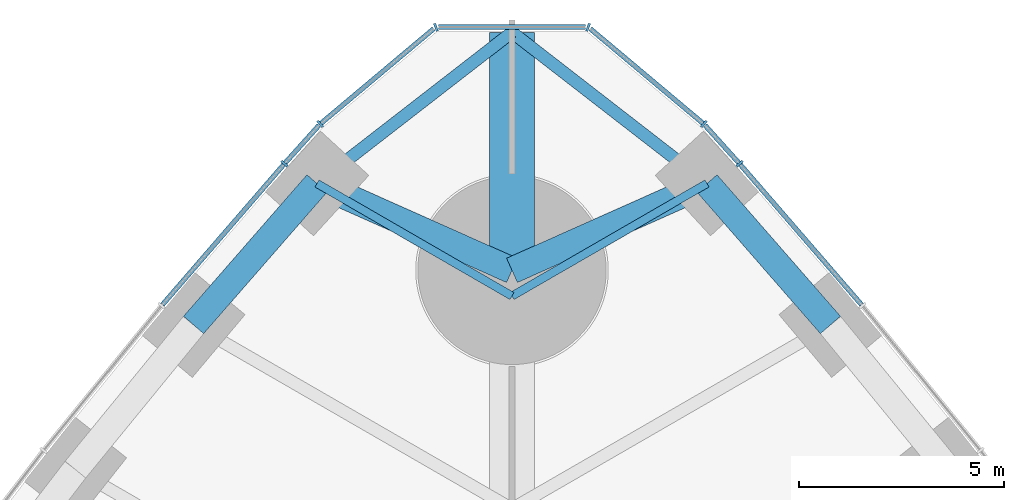
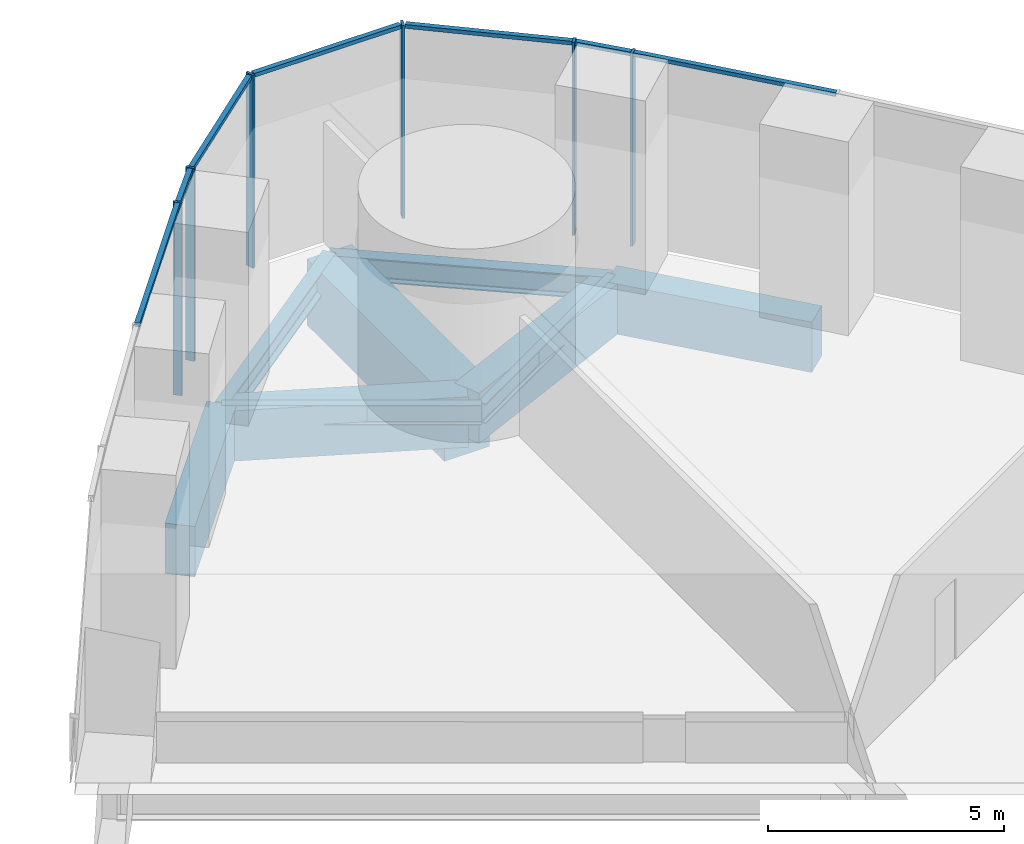
# One storey, part 12 of 21: 13 members, 9 beams, 3 elements without a shape of their own.
"""IFC4 building model written with IfcOpenShell, lengths in metres."""

from ifc_helpers import new_model, si_unit, direction, frame, origin, origin_2d, place, context, subcontext, project, spatial, rectangle, i_section, extrude, material, material_profile, profile_set, type_object, element, aggregate, save


model = new_model("IFC4")

# Units and contexts
model_context = context("Model", 3, precision=1e-05, world=origin(), true_north=direction((0.0, 1.0)))
body_context = subcontext(model_context, "Body", "Model", "MODEL_VIEW")
ifc_project = project(units=[si_unit("LENGTHUNIT", "METRE"), si_unit("AREAUNIT", "SQUARE_METRE"), si_unit("VOLUMEUNIT", "CUBIC_METRE"), si_unit("PLANEANGLEUNIT", "RADIAN"), si_unit("MASSUNIT", "GRAM", prefix="KILO")], contexts=[model_context])

# Site, building, storey
site_placement = place(None, origin())
site = spatial("IfcSite", under=ifc_project, at=site_placement, CompositionType="ELEMENT")
building_placement = place(site_placement, origin())
building = spatial("IfcBuilding", under=site, at=building_placement, Name="Trefoil Bronze Tower", CompositionType="ELEMENT")
storey_placement = place(building_placement, frame((0.0, 0.0, 6.5)))
storey = spatial("IfcBuildingStorey", under=building, at=storey_placement, Name="L01", CompositionType="ELEMENT", Elevation=6.5)

# Curtain wall, member
ifc_material_1 = material(Name="Tinted solar-control glass", Category="glass")
curtain_wall_type_1 = type_object("IfcCurtainWallType", Name="Bronze podium storefront curtain wall", PredefinedType="USERDEFINED", material=ifc_material_1)
curtain_wall_1_placement = place(storey_placement, origin())
curtain_wall_1 = element("IfcCurtainWall", 1, at=curtain_wall_1_placement, inside=storey, type_object=curtain_wall_type_1, Name="CW-C L01 F2", ObjectType="CURTAIN WALL", PredefinedType="USERDEFINED")
ifc_material_2 = material(Name="Bronze-finish aluminium", Category="aluminium")
ifc_material_profile_1 = material_profile(ifc_material_2, rectangle(XDim=0.199951171875, YDim=0.06005859375, at=origin_2d()), Name="CW-C mullion")
ifc_profile_set_1 = profile_set([ifc_material_profile_1], Name="Bronze-finish aluminium")
member_type_1 = type_object("IfcMemberType", Name="Bronze podium storefront curtain wall mullion", PredefinedType="MULLION", material=ifc_profile_set_1)
member_1_placement = place(storey_placement, frame((5.556640625, 39.60400390625, 0.0), z_axis=(0.0, 0.0, 1.0), x_axis=(-0.7499405861, -0.661505190698, 0.0)))
member_1 = element("IfcMember", 2, at=member_1_placement, type_object=member_type_1, Name="CW-C L01 F2 mullion 16", PredefinedType="MULLION", context=body_context, shape_type="SweptSolid", body=[
    extrude(rectangle(XDim=0.199951171875, YDim=0.06005859375, at=origin_2d()), origin(), (0.0, 0.0, 1.0), 4.97998046875),
])

curtain_wall_2_placement = place(storey_placement, origin())
curtain_wall_2 = element("IfcCurtainWall", 3, at=curtain_wall_2_placement, inside=storey, type_object=curtain_wall_type_1, Name="CW-C L01 F3", ObjectType="CURTAIN WALL", PredefinedType="USERDEFINED")
member_2_placement = place(storey_placement, frame((-5.556640625, 39.60400390625, 0.0), z_axis=(0.0, 0.0, 1.0), x_axis=(0.7499405861, -0.661505190698, 0.0)))
member_2 = element("IfcMember", 4, at=member_2_placement, type_object=member_type_1, Name="CW-C L01 F3 mullion 2", PredefinedType="MULLION", context=body_context, shape_type="SweptSolid", body=[
    extrude(rectangle(XDim=0.199951171875, YDim=0.06005859375, at=origin_2d()), origin(), (0.0, 0.0, 1.0), 4.97998046875),
])

# Member
ifc_material_3 = material(Name="Bronze-finish aluminium", Category="aluminium")
ifc_material_profile_2 = material_profile(ifc_material_3, rectangle(XDim=0.1201171875, YDim=0.10009765625, at=origin_2d()), Name="CW-C transom")
ifc_profile_set_2 = profile_set([ifc_material_profile_2], Name="Bronze-finish aluminium")
member_type_2 = type_object("IfcMemberType", Name="Bronze podium storefront curtain wall transom", PredefinedType="USERDEFINED", material=ifc_profile_set_2)
member_3_placement = place(storey_placement, frame((8.5361328125, 36.160888671875, 4.929931640625), z_axis=(-0.654393958873, 0.756153785014, 0.0), x_axis=(-0.756153785014, -0.654393958873, 0.0)))
member_3 = element("IfcMember", 5, at=member_3_placement, type_object=member_type_2, Name="CW-C L01 F2 transom 15", ObjectType="TRANSOM", PredefinedType="USERDEFINED", context=body_context, shape_type="SweptSolid", body=[
    extrude(rectangle(XDim=0.1201171875, YDim=0.10009765625, at=origin_2d()), origin(), (0.0, 0.0, 1.0), 4.5224609375),
])

member_4_placement = place(storey_placement, frame((5.535888671875, 39.626953125, 4.929931640625), z_axis=(-0.668613891613, 0.743609752452, 0.0), x_axis=(-0.743609752452, -0.668613891613, 0.0)))
member_4 = element("IfcMember", 6, at=member_4_placement, type_object=member_type_2, Name="CW-C L01 F2 transom 16", ObjectType="TRANSOM", PredefinedType="USERDEFINED", context=body_context, shape_type="SweptSolid", body=[
    extrude(rectangle(XDim=0.1201171875, YDim=0.10009765625, at=origin_2d()), origin(), (0.0, 0.0, 1.0), 1.23046875),
])

aggregate(curtain_wall_1, [member_1, member_3, member_4])

member_5_placement = place(storey_placement, frame((-4.713134765625, 40.5419921875, 4.929931640625), z_axis=(-0.668613891613, -0.743609752452, 0.0), x_axis=(0.743609752452, -0.668613891613, 0.0)))
member_5 = element("IfcMember", 7, at=member_5_placement, type_object=member_type_2, Name="CW-C L01 F3 transom 1", ObjectType="TRANSOM", PredefinedType="USERDEFINED", context=body_context, shape_type="SweptSolid", body=[
    extrude(rectangle(XDim=0.1201171875, YDim=0.10009765625, at=origin_2d()), origin(), (0.0, 0.0, 1.0), 1.23046875),
])

member_6_placement = place(storey_placement, frame((-5.57666015625, 39.58056640625, 4.929931640625), z_axis=(-0.654393958873, -0.756153785014, 0.0), x_axis=(0.756153785014, -0.654393958873, 0.0)))
member_6 = element("IfcMember", 8, at=member_6_placement, type_object=member_type_2, Name="CW-C L01 F3 transom 2", ObjectType="TRANSOM", PredefinedType="USERDEFINED", context=body_context, shape_type="SweptSolid", body=[
    extrude(rectangle(XDim=0.1201171875, YDim=0.10009765625, at=origin_2d()), origin(), (0.0, 0.0, 1.0), 4.5224609375),
])

aggregate(curtain_wall_2, [member_2, member_5, member_6])

# Curtain wall, members
ifc_material_4 = material(Name="Tinted solar-control glass", Category="glass")
curtain_wall_type_2 = type_object("IfcCurtainWallType", Name="Bronze rounded corner curtain wall", PredefinedType="USERDEFINED", material=ifc_material_4)
curtain_wall_3_placement = place(storey_placement, origin())
curtain_wall_3 = element("IfcCurtainWall", 9, at=curtain_wall_3_placement, inside=storey, type_object=curtain_wall_type_2, Name="CW-B L01 K2", ObjectType="CURTAIN WALL", PredefinedType="USERDEFINED")
ifc_material_5 = material(Name="Bronze-finish aluminium", Category="aluminium")
ifc_material_profile_3 = material_profile(ifc_material_5, rectangle(XDim=0.199951171875, YDim=0.06005859375, at=origin_2d()), Name="CW-B mullion")
ifc_profile_set_3 = profile_set([ifc_material_profile_3], Name="Bronze-finish aluminium")
member_type_3 = type_object("IfcMemberType", Name="Bronze rounded corner curtain wall mullion", PredefinedType="MULLION", material=ifc_profile_set_3)
member_7_placement = place(storey_placement, frame((4.68310546875, 40.573974609375, 0.0), z_axis=(0.0, 0.0, 1.0), x_axis=(-0.642787609687, -0.766044443119, 0.0)))
member_7 = element("IfcMember", 10, at=member_7_placement, type_object=member_type_3, Name="CW-B L01 K2 mullion 1", PredefinedType="MULLION", context=body_context, shape_type="SweptSolid", body=[
    extrude(rectangle(XDim=0.199951171875, YDim=0.06005859375, at=origin_2d()), origin(), (0.0, 0.0, 1.0), 4.97998046875),
])
member_8_placement = place(storey_placement, frame((1.8583984375, 42.9365234375, 0.0), z_axis=(0.0, 0.0, 1.0), x_axis=(-0.342020143326, -0.939692620786, 0.0)))
member_8 = element("IfcMember", 11, at=member_8_placement, type_object=member_type_3, Name="CW-B L01 K2 mullion 2", PredefinedType="MULLION", context=body_context, shape_type="SweptSolid", body=[
    extrude(rectangle(XDim=0.199951171875, YDim=0.06005859375, at=origin_2d()), origin(), (0.0, 0.0, 1.0), 4.97998046875),
])
member_9_placement = place(storey_placement, frame((-1.8583984375, 42.9365234375, 0.0), z_axis=(0.0, 0.0, 1.0), x_axis=(0.342020143326, -0.939692620786, 0.0)))
member_9 = element("IfcMember", 12, at=member_9_placement, type_object=member_type_3, Name="CW-B L01 K2 mullion 3", PredefinedType="MULLION", context=body_context, shape_type="SweptSolid", body=[
    extrude(rectangle(XDim=0.199951171875, YDim=0.06005859375, at=origin_2d()), origin(), (0.0, 0.0, 1.0), 4.97998046875),
])
member_10_placement = place(storey_placement, frame((-4.68310546875, 40.573974609375, 0.0), z_axis=(0.0, 0.0, 1.0), x_axis=(0.642787609687, -0.766044443119, 0.0)))
member_10 = element("IfcMember", 13, at=member_10_placement, type_object=member_type_3, Name="CW-B L01 K2 mullion 4", PredefinedType="MULLION", context=body_context, shape_type="SweptSolid", body=[
    extrude(rectangle(XDim=0.199951171875, YDim=0.06005859375, at=origin_2d()), origin(), (0.0, 0.0, 1.0), 4.97998046875),
])
ifc_material_6 = material(Name="Bronze-finish aluminium", Category="aluminium")
ifc_material_profile_4 = material_profile(ifc_material_6, rectangle(XDim=0.1201171875, YDim=0.10009765625, at=origin_2d()), Name="CW-B transom")
ifc_profile_set_4 = profile_set([ifc_material_profile_4], Name="Bronze-finish aluminium")
member_type_4 = type_object("IfcMemberType", Name="Bronze rounded corner curtain wall transom", PredefinedType="USERDEFINED", material=ifc_profile_set_4)
member_11_placement = place(storey_placement, frame((4.66015625, 40.59326171875, 4.929931640625), z_axis=(-0.766058606238, 0.642770730361, 0.0), x_axis=(-0.642770730361, -0.766058606238, 0.0)))
member_11 = element("IfcMember", 14, at=member_11_placement, type_object=member_type_4, Name="CW-B L01 K2 transom 1", ObjectType="TRANSOM", PredefinedType="USERDEFINED", context=body_context, shape_type="SweptSolid", body=[
    extrude(rectangle(XDim=0.1201171875, YDim=0.10009765625, at=origin_2d()), origin(), (0.0, 0.0, 1.0), 3.588134765625),
])
member_12_placement = place(storey_placement, frame((1.794189453125, 42.9423828125, 4.929931640625), z_axis=(-1.0, 0.0, 0.0), x_axis=(0.0, -1.0, 0.0)))
member_12 = element("IfcMember", 15, at=member_12_placement, type_object=member_type_4, Name="CW-B L01 K2 transom 2", ObjectType="TRANSOM", PredefinedType="USERDEFINED", context=body_context, shape_type="SweptSolid", body=[
    extrude(rectangle(XDim=0.1201171875, YDim=0.10009765625, at=origin_2d()), origin(), (0.0, 0.0, 1.0), 3.58837890625),
])
member_13_placement = place(storey_placement, frame((-1.911376953125, 42.899658203125, 4.929931640625), z_axis=(-0.766058606238, -0.642770730361, 0.0), x_axis=(0.642770730361, -0.766058606238, 0.0)))
member_13 = element("IfcMember", 16, at=member_13_placement, type_object=member_type_4, Name="CW-B L01 K2 transom 3", ObjectType="TRANSOM", PredefinedType="USERDEFINED", context=body_context, shape_type="SweptSolid", body=[
    extrude(rectangle(XDim=0.1201171875, YDim=0.10009765625, at=origin_2d()), origin(), (0.0, 0.0, 1.0), 3.588134765625),
])
aggregate(curtain_wall_3, [member_7, member_8, member_9, member_10, member_11, member_12, member_13])

# Beams
ifc_material_7 = material(Name="Concrete B80", Category="concrete")
ifc_material_profile_5 = material_profile(ifc_material_7, rectangle(XDim=1.10009765625, YDim=1.699951171875, at=origin_2d()), Name="RC 1100x1700")
ifc_profile_set_5 = profile_set([ifc_material_profile_5], Name="Concrete B80")
beam_type_1 = type_object("IfcBeamType", Name="Corner cantilever RC 1100x1700", PredefinedType="BEAM", material=ifc_profile_set_5)
beam_placement = place(storey_placement, frame((0.0, 37.0, -1.050048828125), z_axis=(0.0, 1.0, 0.0), x_axis=(-1.0, 0.0, 0.0)))
element("IfcBeam", 17, at=beam_placement, inside=storey, type_object=beam_type_1, Name="Corner cantilever K2 L01", PredefinedType="BEAM", context=body_context, shape_type="SweptSolid", body=[
    extrude(rectangle(XDim=1.10009765625, YDim=1.699951171875, at=origin_2d()), origin(), (0.0, 0.0, 1.0), 5.814208984375),
])
ifc_material_8 = material(Name="Steel C355", Category="steel")
ifc_material_profile_6 = material_profile(ifc_material_8, i_section(OverallWidth=0.300048828125, OverallDepth=0.60009765625, WebThickness=0.015380859375, FlangeThickness=0.030029296875, FilletRadius=0.027099609375, at=origin_2d()), Name="HEB 600")
ifc_profile_set_6 = profile_set([ifc_material_profile_6], Name="Steel C355")
beam_type_2 = type_object("IfcBeamType", Name="Corner edge beam HEB 600", PredefinedType="BEAM", material=ifc_profile_set_6)
for number, where, z_axis, x_axis, name in (
    (18, (4.76171875, 39.122314453125, -0.5), (-0.790289474622, 0.612733666696, 0.0), (-0.612733666696, -0.790289474622, 0.0), "Corner edge beam F2A L01"),
    (19, (-4.76171875, 39.122314453125, -0.5), (0.790289474622, 0.612733666696, 0.0), (-0.612733666696, 0.790289474622, 0.0), "Corner edge beam F3B L01"),
):
    element("IfcBeam", number, at=place(storey_placement, frame(where, z_axis=z_axis, x_axis=x_axis)), inside=storey, type_object=beam_type_2, Name=name, PredefinedType="BEAM", context=body_context, shape_type="SweptSolid", body=[
        extrude(i_section(OverallWidth=0.300048828125, OverallDepth=0.60009765625, WebThickness=0.015380859375, FlangeThickness=0.030029296875, FilletRadius=0.027099609375, at=origin_2d()), origin(), (0.0, 0.0, 1.0), 6.025390625),
    ])
ifc_material_9 = material(Name="Concrete B80", Category="concrete")
ifc_material_profile_7 = material_profile(ifc_material_9, rectangle(XDim=0.64990234375, YDim=1.300048828125, at=origin_2d()), Name="RC 650x1300")
ifc_profile_set_7 = profile_set([ifc_material_profile_7], Name="Concrete B80")
beam_type_3 = type_object("IfcBeamType", Name="End spandrel beam RC 650x1300", PredefinedType="SPANDREL", material=ifc_profile_set_7)
for number, where, z_axis, x_axis, name in (
    (20, (4.76171875, 39.122314453125, -0.85009765625), (-0.913384257879, -0.407098510754, 0.0), (0.407098510754, -0.913384257879, 0.0), "Spandrel F2.16 L01"),
    (21, (0.0, 37.0, -0.85009765625), (-0.913384257879, 0.407098510754, 0.0), (-0.407098510754, -0.913384257879, 0.0), "Spandrel F3.1 L01"),
):
    element("IfcBeam", number, at=place(storey_placement, frame(where, z_axis=z_axis, x_axis=x_axis)), inside=storey, type_object=beam_type_3, Name=name, PredefinedType="SPANDREL", context=body_context, shape_type="SweptSolid", body=[
        extrude(rectangle(XDim=0.64990234375, YDim=1.300048828125, at=origin_2d()), origin(), (0.0, 0.0, 1.0), 5.21337890625),
    ])
ifc_material_10 = material(Name="Steel C355", Category="steel")
ifc_material_profile_8 = material_profile(ifc_material_10, i_section(OverallWidth=0.199951171875, OverallDepth=0.5, WebThickness=0.01025390625, FlangeThickness=0.01611328125, FilletRadius=0.02099609375, at=origin_2d()), Name="IPE 500")
ifc_profile_set_8 = profile_set([ifc_material_profile_8], Name="Steel C355")
beam_type_4 = type_object("IfcBeamType", Name="Floor beam IPE 500", PredefinedType="BEAM", material=ifc_profile_set_8)
for number, where, z_axis, x_axis, name in (
    (22, (4.76171875, 39.122314453125, -0.449951171875), (-0.866018475376, -0.500012000164, 0.0), (0.500012000164, -0.866018475376, 0.0), "Floor beam F2/+7 L01"),
    (23, (-4.76171875, 39.122314453125, -0.449951171875), (0.866018475376, -0.500012000164, 0.0), (0.500012000164, 0.866018475376, 0.0), "Floor beam F3/-7 L01"),
):
    element("IfcBeam", number, at=place(storey_placement, frame(where, z_axis=z_axis, x_axis=x_axis)), inside=storey, type_object=beam_type_4, Name=name, PredefinedType="BEAM", context=body_context, shape_type="SweptSolid", body=[
        extrude(i_section(OverallWidth=0.199951171875, OverallDepth=0.5, WebThickness=0.01025390625, FlangeThickness=0.01611328125, FilletRadius=0.02099609375, at=origin_2d()), origin(), (0.0, 0.0, 1.0), 5.498291015625),
    ])
ifc_material_11 = material(Name="Concrete B80", Category="concrete")
ifc_material_profile_9 = material_profile(ifc_material_11, rectangle(XDim=0.64990234375, YDim=1.300048828125, at=origin_2d()), Name="RC 650x1300")
ifc_profile_set_9 = profile_set([ifc_material_profile_9], Name="Concrete B80")
beam_type_5 = type_object("IfcBeamType", Name="Spandrel beam RC 650x1300", PredefinedType="SPANDREL", material=ifc_profile_set_9)
for number, where, z_axis, x_axis, name in (
    (24, (7.7763671875, 35.666748046875, -0.85009765625), (-0.657395767989, 0.753545489158, 0.0), (-0.753545489158, -0.657395767989, 0.0), "Spandrel F2.15 L01"),
    (25, (-4.76171875, 39.122314453125, -0.85009765625), (-0.657395767989, -0.753545489158, 0.0), (0.753545489158, -0.657395767989, 0.0), "Spandrel F3.2 L01"),
):
    element("IfcBeam", number, at=place(storey_placement, frame(where, z_axis=z_axis, x_axis=x_axis)), inside=storey, type_object=beam_type_5, Name=name, PredefinedType="SPANDREL", context=body_context, shape_type="SweptSolid", body=[
        extrude(rectangle(XDim=0.64990234375, YDim=1.300048828125, at=origin_2d()), origin(), (0.0, 0.0, 1.0), 4.585693359375),
    ])

save(model, "model.ifc")
